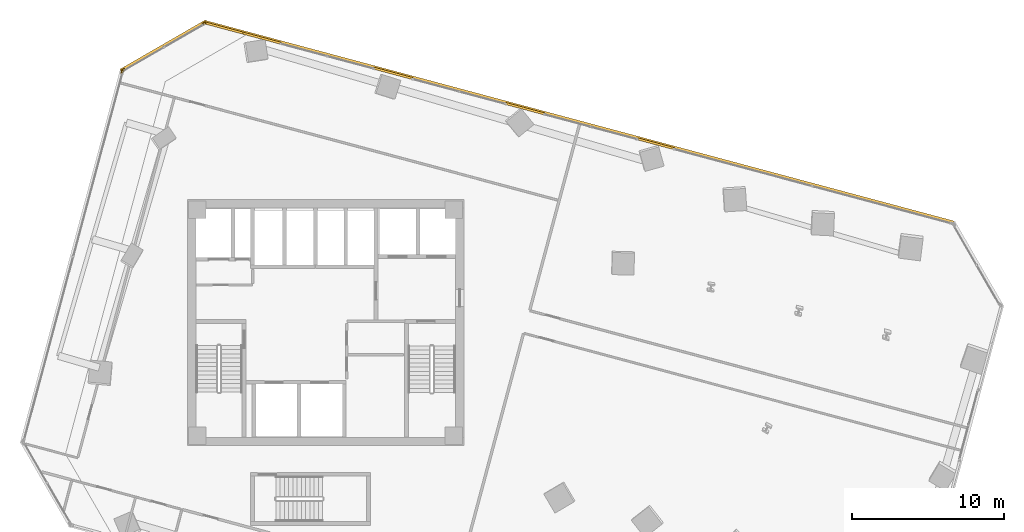
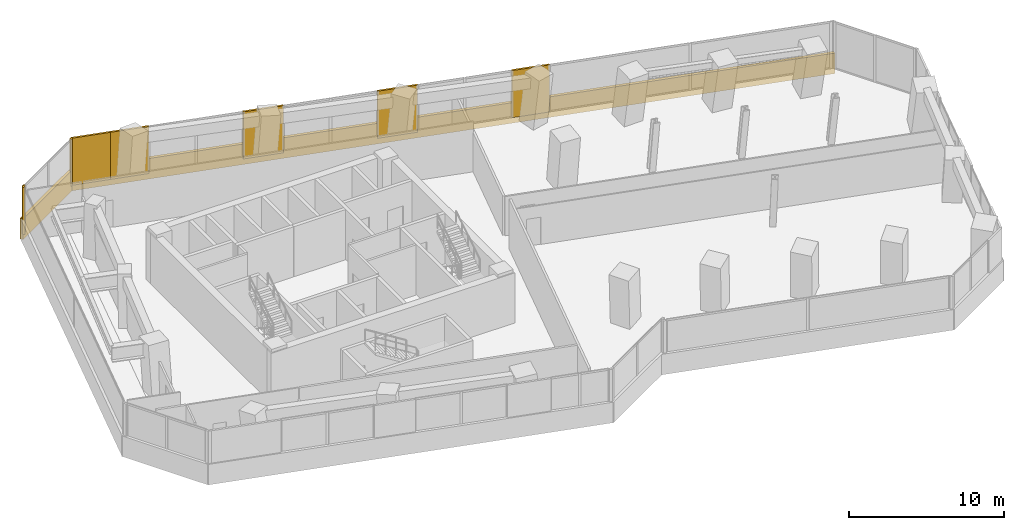
# One storey, part 25 of 26: 10 coverings.
"""IFC4 building model written with IfcOpenShell, lengths in metres."""

from ifc_helpers import new_model, si_unit, direction, frame, origin, origin_2d, place, context, subcontext, project, spatial, rectangle, extrude, source, transform, mapped, material, layer, layer_set, type_object, element, save


model = new_model("IFC4")

# Units and contexts
model_context = context("Model", 3, precision=1e-05, world=origin(), true_north=direction((0.0, 1.0)))
body_context = subcontext(model_context, "Body", "Model", "MODEL_VIEW")
ifc_project = project(units=[si_unit("LENGTHUNIT", "METRE"), si_unit("AREAUNIT", "SQUARE_METRE"), si_unit("VOLUMEUNIT", "CUBIC_METRE"), si_unit("PLANEANGLEUNIT", "RADIAN"), si_unit("MASSUNIT", "GRAM", prefix="KILO")], contexts=[model_context])

# Site, building, storey
site_placement = place(None, origin())
site = spatial("IfcSite", under=ifc_project, at=site_placement, CompositionType="ELEMENT")
building_placement = place(site_placement, origin())
building = spatial("IfcBuilding", under=site, at=building_placement, Name="Torre Montelarca", CompositionType="ELEMENT")
storey_placement = place(building_placement, frame((0.0, 0.0, 104.199951171875)))
storey = spatial("IfcBuildingStorey", under=building, at=storey_placement, Name="L23", CompositionType="ELEMENT", Elevation=104.199951171875)

# Coverings
ifc_material = material(Name="Bush-hammered warm white precast concrete C45/55", Category="concrete")
ifc_layer = layer(ifc_material, 0.139892578125, Name="Bush-hammered warm white precast concrete C45/55", Category="concrete")
ifc_layer_set = layer_set([ifc_layer], Name="Bush-hammered warm white precast concrete C45/55")
covering_type = type_object("IfcCoveringType", Name="COV-TRAY-CLAD", PredefinedType="CLADDING", material=ifc_layer_set)
shared_shape_1 = source(origin(), body_context, "Body", "SweptSolid", [
    extrude(rectangle(XDim=6.48388671875, YDim=0.219970703125, at=origin_2d()), origin(), (0.0, 0.0, 1.0), 1.6201171875),
])
covering_1_placement = place(storey_placement, frame((7.30419921875, 50.223876953125, -0.449951171875), z_axis=(0.0, 0.0, 1.0), x_axis=(-0.866026276448, -0.4999984885, 0.0)))
element("IfcCovering", 1, at=covering_1_placement, inside=storey, type_object=covering_type, Name="L23 Architectural White Spandrel Tray Band TRYBOT-09", PredefinedType="CLADDING", context=body_context, shape_type="MappedRepresentation", body=[
    mapped(shared_shape_1, transform((0.0, 0.0, 0.0), scale=1.0)),
])
shared_shape_2 = source(origin(), body_context, "Body", "SweptSolid", [
    extrude(rectangle(XDim=51.219970703125, YDim=0.219970703125, at=origin_2d()), origin(), (0.0, 0.0, 1.0), 1.6201171875),
])
covering_2_placement = place(storey_placement, frame((34.716552734375, 45.19921875, -0.449951171875), z_axis=(0.0, 0.0, 1.0), x_axis=(-0.965925374563, 0.258820730961, 0.0)))
element("IfcCovering", 2, at=covering_2_placement, inside=storey, type_object=covering_type, Name="L23 Architectural White Spandrel Tray Band TRYBOT-08", PredefinedType="CLADDING", context=body_context, shape_type="MappedRepresentation", body=[
    mapped(shared_shape_2, transform((0.0, 0.0, 0.0), scale=1.0)),
])
shared_shape_3 = source(origin(), body_context, "Body", "SweptSolid", [
    extrude(rectangle(XDim=0.199951171875, YDim=0.139892578125, at=origin_2d()), origin(), (0.0, 0.0, 1.0), 3.719970703125),
])
for number, where, z_axis, x_axis, name in (
    (3, (9.989501953125, 51.705078125, 0.0), (0.0, 0.0, 1.0), (-0.866024531118, -0.500001511499, 0.0), "L23 Architectural Column Pier Cladding E09-1"),
    (4, (4.6787109375, 48.638916015625, 0.0), (0.0, 0.0, 1.0), (-0.866024531118, -0.500001511499, 0.0), "L23 Architectural Column Pier Cladding E09-2"),
    (5, (4.59033203125, 48.523681640625, 0.0), (0.0, 0.0, 1.0), (-0.258819045103, -0.965925826289, 0.0), "L23 Architectural Column Pier Cladding E10-1"),
):
    element("IfcCovering", number, at=place(storey_placement, frame(where, z_axis=z_axis, x_axis=x_axis)), inside=storey, type_object=covering_type, Name=name, PredefinedType="CLADDING", context=body_context, shape_type="MappedRepresentation", body=[
        mapped(shared_shape_3, transform((0.0, 0.0, 0.0), scale=1.0)),
    ])
shared_shape_4 = source(origin(), body_context, "Body", "SweptSolid", [
    extrude(rectangle(XDim=2.5234375, YDim=0.139892578125, at=origin_2d()), origin(), (0.0, 0.0, 1.0), 3.719970703125),
])
covering_3_placement = place(storey_placement, frame((39.75439453125, 43.787109375, 0.0), z_axis=(0.0, 0.0, 1.0), x_axis=(-0.965925374563, 0.258820730961, 0.0)))
element("IfcCovering", 6, at=covering_3_placement, inside=storey, type_object=covering_type, Name="L23 Architectural Column Pier Cladding E08-2", PredefinedType="CLADDING", context=body_context, shape_type="MappedRepresentation", body=[
    mapped(shared_shape_4, transform((0.0, 0.0, 0.0), scale=1.0)),
])
shared_shape_5 = source(origin(), body_context, "Body", "SweptSolid", [
    extrude(rectangle(XDim=2.689208984375, YDim=0.139892578125, at=origin_2d()), origin(), (0.0, 0.0, 1.0), 3.719970703125),
])
covering_4_placement = place(storey_placement, frame((31.14111328125, 46.094970703125, 0.0), z_axis=(0.0, 0.0, 1.0), x_axis=(-0.965925374563, 0.258820730961, 0.0)))
element("IfcCovering", 7, at=covering_4_placement, inside=storey, type_object=covering_type, Name="L23 Architectural Column Pier Cladding E08-3", PredefinedType="CLADDING", context=body_context, shape_type="MappedRepresentation", body=[
    mapped(shared_shape_5, transform((0.0, 0.0, 0.0), scale=1.0)),
])
shared_shape_6 = source(origin(), body_context, "Body", "SweptSolid", [
    extrude(rectangle(XDim=2.60400390625, YDim=0.139892578125, at=origin_2d()), origin(), (0.0, 0.0, 1.0), 3.719970703125),
])
covering_5_placement = place(storey_placement, frame((11.294677734375, 51.412841796875, 0.0), z_axis=(0.0, 0.0, 1.0), x_axis=(-0.965925374563, 0.258820730961, 0.0)))
element("IfcCovering", 8, at=covering_5_placement, inside=storey, type_object=covering_type, Name="L23 Architectural Column Pier Cladding E08-6", PredefinedType="CLADDING", context=body_context, shape_type="MappedRepresentation", body=[
    mapped(shared_shape_6, transform((0.0, 0.0, 0.0), scale=1.0)),
])
shared_shape_7 = source(origin(), body_context, "Body", "SweptSolid", [
    extrude(rectangle(XDim=2.691162109375, YDim=0.139892578125, at=origin_2d()), origin(), (0.0, 0.0, 1.0), 3.719970703125),
])
covering_6_placement = place(storey_placement, frame((22.448974609375, 48.424072265625, 0.0), z_axis=(0.0, 0.0, 1.0), x_axis=(-0.965925374563, 0.258820730961, 0.0)))
element("IfcCovering", 9, at=covering_6_placement, inside=storey, type_object=covering_type, Name="L23 Architectural Column Pier Cladding E08-4", PredefinedType="CLADDING", context=body_context, shape_type="MappedRepresentation", body=[
    mapped(shared_shape_7, transform((0.0, 0.0, 0.0), scale=1.0)),
])
shared_shape_8 = source(origin(), body_context, "Body", "SweptSolid", [
    extrude(rectangle(XDim=2.693603515625, YDim=0.139892578125, at=origin_2d()), origin(), (0.0, 0.0, 1.0), 3.719970703125),
])
covering_7_placement = place(storey_placement, frame((13.756591796875, 50.753173828125, 0.0), z_axis=(0.0, 0.0, 1.0), x_axis=(-0.965925374563, 0.258820730961, 0.0)))
element("IfcCovering", 10, at=covering_7_placement, inside=storey, type_object=covering_type, Name="L23 Architectural Column Pier Cladding E08-5", PredefinedType="CLADDING", context=body_context, shape_type="MappedRepresentation", body=[
    mapped(shared_shape_8, transform((0.0, 0.0, 0.0), scale=1.0)),
])

save(model, "model.ifc")
